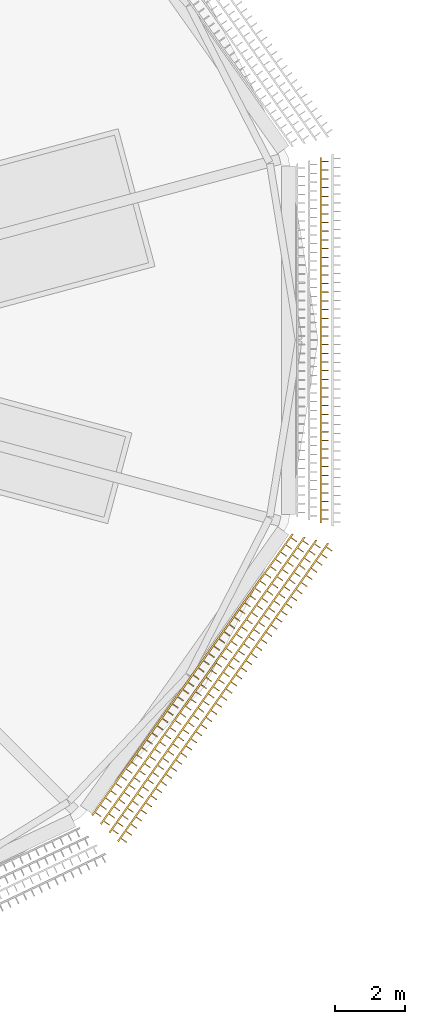
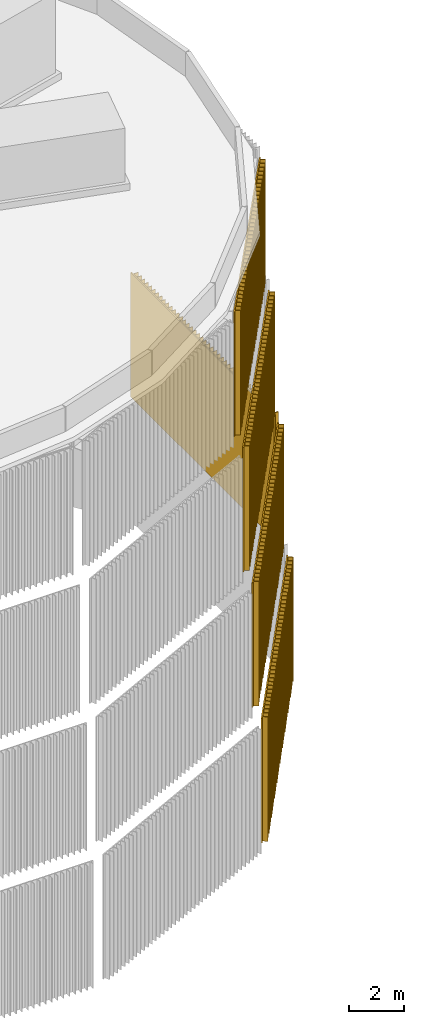
# One storey, part 8 of 24: 5 coverings.
"""IFC4 building model written with IfcOpenShell, lengths in metres."""

from ifc_helpers import new_model, si_unit, direction, frame, origin, place, context, subcontext, project, spatial, polyline, outline, extrude, material, type_object, element, save


model = new_model("IFC4")

# Units and contexts
model_context = context("Model", 3, precision=1e-05, world=origin(), true_north=direction((0.0, 1.0)))
body_context = subcontext(model_context, "Body", "Model", "MODEL_VIEW")
ifc_project = project(units=[si_unit("LENGTHUNIT", "METRE"), si_unit("AREAUNIT", "SQUARE_METRE"), si_unit("VOLUMEUNIT", "CUBIC_METRE"), si_unit("PLANEANGLEUNIT", "RADIAN"), si_unit("MASSUNIT", "GRAM", prefix="KILO")], contexts=[model_context])

# Site, building, storey
site_placement = place(None, origin())
site = spatial("IfcSite", under=ifc_project, at=site_placement, CompositionType="ELEMENT")
building_placement = place(site_placement, origin())
building = spatial("IfcBuilding", under=site, at=building_placement, Name="Rimbun Link Towers", CompositionType="ELEMENT")
storey_placement = place(building_placement, frame((0.0, 0.0, 294.89990234375)))
storey = spatial("IfcBuildingStorey", under=building, at=storey_placement, Name="Roof cap", CompositionType="ELEMENT", Elevation=294.89990234375)

# Coverings
ifc_material = material(Name="Terracotta", Category="masonry")
covering_type = type_object("IfcCoveringType", Name="TERRACOTTA CLADDING screen fins", PredefinedType="CLADDING", material=ifc_material)
covering_1_placement = place(storey_placement, frame((0.0, 0.0, -23.087890625)))
element("IfcCovering", 1, at=covering_1_placement, inside=storey, type_object=covering_type, Name="TERRACOTTA CLADDING screen", PredefinedType="CLADDING", context=body_context, shape_type="SweptSolid", body=[
    extrude(outline(polyline([(-16.957275390625, -14.43359375), (-16.893798828125, -14.34375), (-16.730224609375, -14.458984375), (-16.712890625, -14.434326171875), (-16.87646484375, -14.319091796875), (-16.749755859375, -14.139404296875), (-16.586181640625, -14.25439453125), (-16.56884765625, -14.22998046875), (-16.732421875, -14.11474609375), (-16.605712890625, -13.934814453125), (-16.442138671875, -14.050048828125), (-16.4248046875, -14.025390625), (-16.58837890625, -13.910400390625), (-16.461669921875, -13.73046875), (-16.298095703125, -13.845703125), (-16.28076171875, -13.821044921875), (-16.4443359375, -13.705810546875), (-16.3173828125, -13.52587890625), (-16.154052734375, -13.64111328125), (-16.13671875, -13.61669921875), (-16.30029296875, -13.50146484375), (-16.17333984375, -13.321533203125), (-16.010009765625, -13.436767578125), (-15.99267578125, -13.412353515625), (-16.15625, -13.297119140625), (-16.029296875, -13.1171875), (-15.865966796875, -13.232421875), (-15.8486328125, -13.2080078125), (-16.01220703125, -13.092529296875), (-15.88525390625, -12.91259765625), (-15.7216796875, -13.028076171875), (-15.70458984375, -13.00341796875), (-15.867919921875, -12.88818359375), (-15.7412109375, -12.708251953125), (-15.577880859375, -12.823486328125), (-15.560546875, -12.799072265625), (-15.72412109375, -12.683837890625), (-15.59716796875, -12.50390625), (-15.43359375, -12.619140625), (-15.41650390625, -12.594482421875), (-15.579833984375, -12.4794921875), (-15.453125, -12.299560546875), (-15.28955078125, -12.414794921875), (-15.272216796875, -12.39013671875), (-15.435791015625, -12.27490234375), (-15.30908203125, -12.09521484375), (-15.1455078125, -12.210205078125), (-15.12841796875, -12.185791015625), (-15.291748046875, -12.070556640625), (-15.1650390625, -11.890625), (-15.00146484375, -12.005859375), (-14.984130859375, -11.981201171875), (-15.147705078125, -11.8662109375), (-15.02099609375, -11.686279296875), (-14.857421875, -11.801513671875), (-14.840087890625, -11.77685546875), (-15.003662109375, -11.66162109375), (-14.876708984375, -11.481689453125), (-14.71337890625, -11.596923828125), (-14.696044921875, -11.572509765625), (-14.859619140625, -11.457275390625), (-14.73291015625, -11.27734375), (-14.5693359375, -11.392578125), (-14.552001953125, -11.3681640625), (-14.715576171875, -11.2529296875), (-14.588623046875, -11.072998046875), (-14.42529296875, -11.188232421875), (-14.407958984375, -11.163818359375), (-14.5712890625, -11.048583984375), (-14.444580078125, -10.86865234375), (-14.281005859375, -10.98388671875), (-14.263916015625, -10.959228515625), (-14.42724609375, -10.843994140625), (-14.300537109375, -10.6640625), (-14.13720703125, -10.779296875), (-14.119873046875, -10.7548828125), (-14.283203125, -10.6396484375), (-14.156494140625, -10.459716796875), (-13.992919921875, -10.574951171875), (-13.9755859375, -10.55029296875), (-14.13916015625, -10.435302734375), (-14.012451171875, -10.25537109375), (-13.848876953125, -10.37060546875), (-13.831787109375, -10.345947265625), (-13.9951171875, -10.230712890625), (-13.868408203125, -10.05078125), (-13.704833984375, -10.166015625), (-13.6875, -10.1416015625), (-13.85107421875, -10.0263671875), (-13.724365234375, -9.846435546875), (-13.560791015625, -9.961669921875), (-13.54345703125, -9.937255859375), (-13.70703125, -9.822021484375), (-13.580078125, -9.64208984375), (-13.416748046875, -9.75732421875), (-13.3994140625, -9.732666015625), (-13.56298828125, -9.617431640625), (-13.436279296875, -9.4375), (-13.272705078125, -9.552734375), (-13.25537109375, -9.5283203125), (-13.4189453125, -9.4130859375), (-13.2919921875, -9.233154296875), (-13.128662109375, -9.348388671875), (-13.111328125, -9.323974609375), (-13.27490234375, -9.208740234375), (-13.14794921875, -9.02880859375), (-12.984619140625, -9.14404296875), (-12.96728515625, -9.119384765625), (-13.130615234375, -9.00439453125), (-13.00390625, -8.824462890625), (-12.840576171875, -8.939697265625), (-12.8232421875, -8.9150390625), (-12.98681640625, -8.7998046875), (-12.85986328125, -8.619873046875), (-12.6962890625, -8.735107421875), (-12.67919921875, -8.710693359375), (-12.842529296875, -8.595458984375), (-12.7158203125, -8.41552734375), (-12.55224609375, -8.53076171875), (-12.53515625, -8.506103515625), (-12.698486328125, -8.39111328125), (-12.57177734375, -8.211181640625), (-12.408203125, -8.326416015625), (-12.39111328125, -8.3017578125), (-12.554443359375, -8.1865234375), (-12.427734375, -8.006591796875), (-12.26416015625, -8.121826171875), (-12.246826171875, -8.097412109375), (-12.410400390625, -7.982177734375), (-12.28369140625, -7.80224609375), (-12.1201171875, -7.91748046875), (-12.102783203125, -7.89306640625), (-12.266357421875, -7.77783203125), (-12.1396484375, -7.597900390625), (-11.97607421875, -7.713134765625), (-11.958740234375, -7.6884765625), (-12.122314453125, -7.5732421875), (-11.99560546875, -7.393310546875), (-11.83203125, -7.508544921875), (-11.814697265625, -7.484130859375), (-11.978271484375, -7.368896484375), (-11.851318359375, -7.18896484375), (-11.68798828125, -7.30419921875), (-11.670654296875, -7.27978515625), (-11.833984375, -7.16455078125), (-11.707275390625, -6.984619140625), (-11.5439453125, -7.099853515625), (-11.526611328125, -7.0751953125), (-11.690185546875, -6.960205078125), (-11.563232421875, -6.7802734375), (-11.39990234375, -6.8955078125), (-11.382568359375, -6.870849609375), (-11.5458984375, -6.755615234375), (-11.419189453125, -6.57568359375), (-11.255615234375, -6.69091796875), (-11.238525390625, -6.66650390625), (-11.40185546875, -6.55126953125), (-11.275146484375, -6.371337890625), (-11.11181640625, -6.486572265625), (-11.094482421875, -6.4619140625), (-11.2578125, -6.3466796875), (-11.131103515625, -6.1669921875), (-10.967529296875, -6.281982421875), (-10.9501953125, -6.257568359375), (-11.11376953125, -6.142333984375), (-10.987060546875, -5.96240234375), (-10.823486328125, -6.07763671875), (-10.806396484375, -6.05322265625), (-10.9697265625, -5.93798828125), (-10.90625, -5.847900390625), (-10.957763671875, -5.834228515625), (-16.992919921875, -14.397705078125), (-16.957275390625, -14.43359375)])), origin(), (0.0, 0.0, 1.0), 5.575927734375),
])
covering_2_placement = place(storey_placement, frame((0.0, 0.0, -17.087890625)))
element("IfcCovering", 2, at=covering_2_placement, inside=storey, type_object=covering_type, Name="TERRACOTTA CLADDING screen", PredefinedType="CLADDING", context=body_context, shape_type="SweptSolid", body=[
    extrude(outline(polyline([(-17.20458984375, -14.18603515625), (-17.140625, -14.095703125), (-16.977294921875, -14.2109375), (-16.9599609375, -14.1865234375), (-17.123291015625, -14.071044921875), (-16.995361328125, -13.889892578125), (-16.83203125, -14.005615234375), (-16.814697265625, -13.98095703125), (-16.97802734375, -13.865478515625), (-16.849853515625, -13.684326171875), (-16.6865234375, -13.7998046875), (-16.669189453125, -13.775390625), (-16.83251953125, -13.659912109375), (-16.70458984375, -13.478759765625), (-16.541259765625, -13.59423828125), (-16.52392578125, -13.56982421875), (-16.687255859375, -13.454345703125), (-16.55908203125, -13.273193359375), (-16.39599609375, -13.388671875), (-16.37841796875, -13.3642578125), (-16.541748046875, -13.248779296875), (-16.413818359375, -13.067626953125), (-16.25048828125, -13.18310546875), (-16.233154296875, -13.15869140625), (-16.396484375, -13.043212890625), (-16.268310546875, -12.862060546875), (-16.10498046875, -12.9775390625), (-16.087890625, -12.953125), (-16.251220703125, -12.837646484375), (-16.123046875, -12.656494140625), (-15.959716796875, -12.77197265625), (-15.9423828125, -12.74755859375), (-16.105712890625, -12.632080078125), (-15.977783203125, -12.450927734375), (-15.814453125, -12.56640625), (-15.797119140625, -12.5419921875), (-15.960205078125, -12.426513671875), (-15.832275390625, -12.245361328125), (-15.6689453125, -12.36083984375), (-15.651611328125, -12.33642578125), (-15.81494140625, -12.220947265625), (-15.68701171875, -12.039794921875), (-15.523681640625, -12.1552734375), (-15.50634765625, -12.130859375), (-15.669677734375, -12.015380859375), (-15.54150390625, -11.834228515625), (-15.378173828125, -11.94970703125), (-15.36083984375, -11.92529296875), (-15.524169921875, -11.809814453125), (-15.396240234375, -11.628662109375), (-15.23291015625, -11.744140625), (-15.215576171875, -11.719482421875), (-15.37890625, -11.604248046875), (-15.250732421875, -11.423095703125), (-15.08740234375, -11.53857421875), (-15.0703125, -11.513916015625), (-15.2333984375, -11.398681640625), (-15.10546875, -11.217529296875), (-14.942138671875, -11.3330078125), (-14.9248046875, -11.30859375), (-15.088134765625, -11.193115234375), (-14.9599609375, -11.011962890625), (-14.796630859375, -11.12744140625), (-14.779296875, -11.102783203125), (-14.942626953125, -10.9873046875), (-14.814697265625, -10.806396484375), (-14.6513671875, -10.921875), (-14.634033203125, -10.897216796875), (-14.79736328125, -10.78173828125), (-14.669189453125, -10.600830078125), (-14.506103515625, -10.71630859375), (-14.48876953125, -10.691650390625), (-14.652099609375, -10.576416015625), (-14.52392578125, -10.395263671875), (-14.360595703125, -10.5107421875), (-14.34326171875, -10.486083984375), (-14.506591796875, -10.37060546875), (-14.37841796875, -10.189697265625), (-14.21533203125, -10.30517578125), (-14.197998046875, -10.280517578125), (-14.361083984375, -10.1650390625), (-14.233154296875, -9.98388671875), (-14.06982421875, -10.099609375), (-14.052490234375, -10.074951171875), (-14.2158203125, -9.95947265625), (-14.087890625, -9.7783203125), (-13.924560546875, -9.893798828125), (-13.9072265625, -9.869384765625), (-14.070556640625, -9.75390625), (-13.9423828125, -9.572998046875), (-13.779052734375, -9.688232421875), (-13.76171875, -9.663818359375), (-13.925048828125, -9.54833984375), (-13.797119140625, -9.3671875), (-13.6337890625, -9.48291015625), (-13.616455078125, -9.458251953125), (-13.77978515625, -9.3427734375), (-13.651611328125, -9.16162109375), (-13.48828125, -9.277099609375), (-13.47119140625, -9.252685546875), (-13.634521484375, -9.13720703125), (-13.50634765625, -8.9560546875), (-13.343017578125, -9.071533203125), (-13.32568359375, -9.047119140625), (-13.489013671875, -8.931640625), (-13.36083984375, -8.75048828125), (-13.197509765625, -8.865966796875), (-13.180419921875, -8.841552734375), (-13.343505859375, -8.72607421875), (-13.215576171875, -8.544921875), (-13.05224609375, -8.660400390625), (-13.034912109375, -8.635986328125), (-13.1982421875, -8.5205078125), (-13.0703125, -8.33935546875), (-12.906982421875, -8.454833984375), (-12.8896484375, -8.430419921875), (-13.052978515625, -8.31494140625), (-12.9248046875, -8.1337890625), (-12.761474609375, -8.249267578125), (-12.744140625, -8.224853515625), (-12.907470703125, -8.109375), (-12.779296875, -7.92822265625), (-12.6162109375, -8.043701171875), (-12.598876953125, -8.019287109375), (-12.76220703125, -7.90380859375), (-12.634033203125, -7.72265625), (-12.470703125, -7.838134765625), (-12.453369140625, -7.813720703125), (-12.61669921875, -7.6982421875), (-12.48876953125, -7.51708984375), (-12.325439453125, -7.632568359375), (-12.30810546875, -7.608154296875), (-12.471435546875, -7.49267578125), (-12.34326171875, -7.3115234375), (-12.179931640625, -7.427001953125), (-12.16259765625, -7.402587890625), (-12.325927734375, -7.287109375), (-12.197998046875, -7.10595703125), (-12.03466796875, -7.221435546875), (-12.017333984375, -7.197021484375), (-12.1806640625, -7.081298828125), (-12.052490234375, -6.900390625), (-11.889404296875, -7.015869140625), (-11.8720703125, -6.9912109375), (-12.035400390625, -6.8759765625), (-11.9072265625, -6.69482421875), (-11.743896484375, -6.810302734375), (-11.7265625, -6.785888671875), (-11.889892578125, -6.67041015625), (-11.76171875, -6.4892578125), (-11.598388671875, -6.604736328125), (-11.581298828125, -6.580078125), (-11.744384765625, -6.464599609375), (-11.616455078125, -6.28369140625), (-11.453125, -6.399169921875), (-11.435791015625, -6.37451171875), (-11.59912109375, -6.259033203125), (-11.47119140625, -6.078125), (-11.307861328125, -6.193603515625), (-11.29052734375, -6.1689453125), (-11.453857421875, -6.0537109375), (-11.32568359375, -5.87255859375), (-11.162353515625, -5.988037109375), (-11.14501953125, -5.96337890625), (-11.308349609375, -5.847900390625), (-11.244384765625, -5.75732421875), (-11.2958984375, -5.74365234375), (-17.240478515625, -14.150146484375), (-17.20458984375, -14.18603515625)])), origin(), (0.0, 0.0, 1.0), 5.575927734375),
])
covering_3_placement = place(storey_placement, frame((0.0, 0.0, -17.087890625)))
element("IfcCovering", 3, at=covering_3_placement, inside=storey, type_object=covering_type, Name="TERRACOTTA CLADDING screen", PredefinedType="CLADDING", context=body_context, shape_type="SweptSolid", body=[
    extrude(outline(polyline([(-11.114501953125, -5.266357421875), (-11.114501953125, -5.156005859375), (-10.914306640625, -5.156005859375), (-10.914306640625, -5.1259765625), (-11.114501953125, -5.1259765625), (-11.114501953125, -4.9052734375), (-10.914306640625, -4.9052734375), (-10.914306640625, -4.875244140625), (-11.114501953125, -4.875244140625), (-11.114501953125, -4.654296875), (-10.914306640625, -4.654296875), (-10.914306640625, -4.62451171875), (-11.114501953125, -4.62451171875), (-11.114501953125, -4.403564453125), (-10.914306640625, -4.403564453125), (-10.914306640625, -4.37353515625), (-11.114501953125, -4.37353515625), (-11.114501953125, -4.15283203125), (-10.914306640625, -4.15283203125), (-10.914306640625, -4.122802734375), (-11.114501953125, -4.122802734375), (-11.114501953125, -3.902099609375), (-10.914306640625, -3.902099609375), (-10.914306640625, -3.8720703125), (-11.114501953125, -3.8720703125), (-11.114501953125, -3.6513671875), (-10.914306640625, -3.6513671875), (-10.914306640625, -3.621337890625), (-11.114501953125, -3.621337890625), (-11.114501953125, -3.400390625), (-10.914306640625, -3.400390625), (-10.914306640625, -3.37060546875), (-11.114501953125, -3.37060546875), (-11.114501953125, -3.149658203125), (-10.914306640625, -3.149658203125), (-10.914306640625, -3.11962890625), (-11.114501953125, -3.11962890625), (-11.114501953125, -2.89892578125), (-10.914306640625, -2.89892578125), (-10.914306640625, -2.868896484375), (-11.114501953125, -2.868896484375), (-11.114501953125, -2.648193359375), (-10.914306640625, -2.648193359375), (-10.914306640625, -2.6181640625), (-11.114501953125, -2.6181640625), (-11.114501953125, -2.3974609375), (-10.914306640625, -2.3974609375), (-10.914306640625, -2.367431640625), (-11.114501953125, -2.367431640625), (-11.114501953125, -2.146484375), (-10.914306640625, -2.146484375), (-10.914306640625, -2.11669921875), (-11.114501953125, -2.11669921875), (-11.114501953125, -1.895751953125), (-10.914306640625, -1.895751953125), (-10.914306640625, -1.86572265625), (-11.114501953125, -1.86572265625), (-11.114501953125, -1.64501953125), (-10.914306640625, -1.64501953125), (-10.914306640625, -1.614990234375), (-11.114501953125, -1.614990234375), (-11.114501953125, -1.394287109375), (-10.914306640625, -1.394287109375), (-10.914306640625, -1.3642578125), (-11.114501953125, -1.3642578125), (-11.114501953125, -1.1435546875), (-10.914306640625, -1.1435546875), (-10.914306640625, -1.113525390625), (-11.114501953125, -1.113525390625), (-11.114501953125, -0.892578125), (-10.914306640625, -0.892578125), (-10.914306640625, -0.86279296875), (-11.114501953125, -0.86279296875), (-11.114501953125, -0.641845703125), (-10.914306640625, -0.641845703125), (-10.914306640625, -0.61181640625), (-11.114501953125, -0.61181640625), (-11.114501953125, -0.39111328125), (-10.914306640625, -0.39111328125), (-10.914306640625, -0.361083984375), (-11.114501953125, -0.361083984375), (-11.114501953125, -0.140380859375), (-10.914306640625, -0.140380859375), (-10.914306640625, -0.1103515625), (-11.114501953125, -0.1103515625), (-11.114501953125, 0.1103515625), (-10.914306640625, 0.1103515625), (-10.914306640625, 0.140380859375), (-11.114501953125, 0.140380859375), (-11.114501953125, 0.361083984375), (-10.914306640625, 0.361083984375), (-10.914306640625, 0.39111328125), (-11.114501953125, 0.39111328125), (-11.114501953125, 0.61181640625), (-10.914306640625, 0.61181640625), (-10.914306640625, 0.641845703125), (-11.114501953125, 0.641845703125), (-11.114501953125, 0.86279296875), (-10.914306640625, 0.86279296875), (-10.914306640625, 0.892578125), (-11.114501953125, 0.892578125), (-11.114501953125, 1.113525390625), (-10.914306640625, 1.113525390625), (-10.914306640625, 1.1435546875), (-11.114501953125, 1.1435546875), (-11.114501953125, 1.3642578125), (-10.914306640625, 1.3642578125), (-10.914306640625, 1.394287109375), (-11.114501953125, 1.394287109375), (-11.114501953125, 1.614990234375), (-10.914306640625, 1.614990234375), (-10.914306640625, 1.64501953125), (-11.114501953125, 1.64501953125), (-11.114501953125, 1.86572265625), (-10.914306640625, 1.86572265625), (-10.914306640625, 1.895751953125), (-11.114501953125, 1.895751953125), (-11.114501953125, 2.11669921875), (-10.914306640625, 2.11669921875), (-10.914306640625, 2.146484375), (-11.114501953125, 2.146484375), (-11.114501953125, 2.367431640625), (-10.914306640625, 2.367431640625), (-10.914306640625, 2.3974609375), (-11.114501953125, 2.3974609375), (-11.114501953125, 2.6181640625), (-10.914306640625, 2.6181640625), (-10.914306640625, 2.648193359375), (-11.114501953125, 2.648193359375), (-11.114501953125, 2.868896484375), (-10.914306640625, 2.868896484375), (-10.914306640625, 2.89892578125), (-11.114501953125, 2.89892578125), (-11.114501953125, 3.11962890625), (-10.914306640625, 3.11962890625), (-10.914306640625, 3.149658203125), (-11.114501953125, 3.149658203125), (-11.114501953125, 3.37060546875), (-10.914306640625, 3.37060546875), (-10.914306640625, 3.400390625), (-11.114501953125, 3.400390625), (-11.114501953125, 3.621337890625), (-10.914306640625, 3.621337890625), (-10.914306640625, 3.6513671875), (-11.114501953125, 3.6513671875), (-11.114501953125, 3.8720703125), (-10.914306640625, 3.8720703125), (-10.914306640625, 3.902099609375), (-11.114501953125, 3.902099609375), (-11.114501953125, 4.122802734375), (-10.914306640625, 4.122802734375), (-10.914306640625, 4.15283203125), (-11.114501953125, 4.15283203125), (-11.114501953125, 4.37353515625), (-10.914306640625, 4.37353515625), (-10.914306640625, 4.403564453125), (-11.114501953125, 4.403564453125), (-11.114501953125, 4.62451171875), (-10.914306640625, 4.62451171875), (-10.914306640625, 4.654296875), (-11.114501953125, 4.654296875), (-11.114501953125, 4.875244140625), (-10.914306640625, 4.875244140625), (-10.914306640625, 4.9052734375), (-11.114501953125, 4.9052734375), (-11.114501953125, 5.1259765625), (-10.914306640625, 5.1259765625), (-10.914306640625, 5.156005859375), (-11.114501953125, 5.156005859375), (-11.114501953125, 5.266357421875), (-11.164306640625, 5.2529296875), (-11.164306640625, -5.2529296875), (-11.114501953125, -5.266357421875)])), origin(), (0.0, 0.0, 1.0), 5.575927734375),
])
covering_4_placement = place(storey_placement, frame((0.0, 0.0, -11.087890625)))
element("IfcCovering", 4, at=covering_4_placement, inside=storey, type_object=covering_type, Name="TERRACOTTA CLADDING screen", PredefinedType="CLADDING", context=body_context, shape_type="SweptSolid", body=[
    extrude(outline(polyline([(-17.4521484375, -13.938720703125), (-17.387451171875, -13.847412109375), (-17.224365234375, -13.963134765625), (-17.20703125, -13.938720703125), (-17.3701171875, -13.822998046875), (-17.24072265625, -13.640625), (-17.07763671875, -13.75634765625), (-17.060302734375, -13.73193359375), (-17.223388671875, -13.6162109375), (-17.093994140625, -13.433837890625), (-16.930908203125, -13.549560546875), (-16.91357421875, -13.525146484375), (-17.07666015625, -13.409423828125), (-16.947265625, -13.22705078125), (-16.7841796875, -13.3427734375), (-16.766845703125, -13.318359375), (-16.929931640625, -13.20263671875), (-16.800537109375, -13.020263671875), (-16.637451171875, -13.135986328125), (-16.6201171875, -13.111572265625), (-16.783203125, -12.995849609375), (-16.65380859375, -12.8134765625), (-16.49072265625, -12.92919921875), (-16.473388671875, -12.90478515625), (-16.636474609375, -12.7890625), (-16.507080078125, -12.606689453125), (-16.343994140625, -12.722412109375), (-16.32666015625, -12.697998046875), (-16.48974609375, -12.582275390625), (-16.3603515625, -12.39990234375), (-16.197265625, -12.515625), (-16.1796875, -12.4912109375), (-16.343017578125, -12.37548828125), (-16.21337890625, -12.193115234375), (-16.05029296875, -12.308837890625), (-16.033203125, -12.284423828125), (-16.1962890625, -12.168701171875), (-16.06689453125, -11.986328125), (-15.90380859375, -12.10205078125), (-15.88623046875, -12.07763671875), (-16.04931640625, -11.9619140625), (-15.919921875, -11.779541015625), (-15.7568359375, -11.895263671875), (-15.739501953125, -11.870849609375), (-15.902587890625, -11.7548828125), (-15.773193359375, -11.57275390625), (-15.610107421875, -11.6884765625), (-15.5927734375, -11.6640625), (-15.755859375, -11.548095703125), (-15.62646484375, -11.365966796875), (-15.46337890625, -11.481689453125), (-15.446044921875, -11.457275390625), (-15.609130859375, -11.34130859375), (-15.479736328125, -11.1591796875), (-15.316650390625, -11.27490234375), (-15.29931640625, -11.25048828125), (-15.46240234375, -11.134765625), (-15.3330078125, -10.952392578125), (-15.169921875, -11.068115234375), (-15.152587890625, -11.043701171875), (-15.315673828125, -10.927978515625), (-15.186279296875, -10.74560546875), (-15.023193359375, -10.861328125), (-15.005859375, -10.8369140625), (-15.1689453125, -10.72119140625), (-15.03955078125, -10.538818359375), (-14.87646484375, -10.654541015625), (-14.859130859375, -10.6298828125), (-15.022216796875, -10.514404296875), (-14.892822265625, -10.331787109375), (-14.729736328125, -10.44775390625), (-14.71240234375, -10.423095703125), (-14.87548828125, -10.3076171875), (-14.74609375, -10.125244140625), (-14.5830078125, -10.240966796875), (-14.565673828125, -10.21630859375), (-14.728759765625, -10.1005859375), (-14.599365234375, -9.91845703125), (-14.436279296875, -10.0341796875), (-14.4189453125, -10.009521484375), (-14.58203125, -9.893798828125), (-14.45263671875, -9.711669921875), (-14.28955078125, -9.827392578125), (-14.272216796875, -9.802734375), (-14.435302734375, -9.68701171875), (-14.305908203125, -9.5048828125), (-14.142578125, -9.62060546875), (-14.12548828125, -9.595947265625), (-14.28857421875, -9.480224609375), (-14.1591796875, -9.298095703125), (-13.99609375, -9.413818359375), (-13.978515625, -9.389404296875), (-14.1416015625, -9.2734375), (-14.012451171875, -9.09130859375), (-13.84912109375, -9.206787109375), (-13.831787109375, -9.1826171875), (-13.9951171875, -9.066650390625), (-13.865478515625, -8.884521484375), (-13.702392578125, -9.0), (-13.68505859375, -8.9755859375), (-13.84814453125, -8.85986328125), (-13.718994140625, -8.677490234375), (-13.555908203125, -8.793212890625), (-13.538330078125, -8.768798828125), (-13.701416015625, -8.653076171875), (-13.572021484375, -8.470703125), (-13.408935546875, -8.58642578125), (-13.3916015625, -8.56201171875), (-13.5546875, -8.4462890625), (-13.42529296875, -8.263916015625), (-13.26220703125, -8.379638671875), (-13.244873046875, -8.355224609375), (-13.407958984375, -8.239501953125), (-13.278564453125, -8.05712890625), (-13.115478515625, -8.173095703125), (-13.09814453125, -8.1484375), (-13.26123046875, -8.03271484375), (-13.1318359375, -7.850341796875), (-12.96875, -7.96630859375), (-12.951416015625, -7.941650390625), (-13.114501953125, -7.825927734375), (-12.985107421875, -7.6435546875), (-12.822021484375, -7.759521484375), (-12.8046875, -7.73486328125), (-12.9677734375, -7.619140625), (-12.83837890625, -7.436767578125), (-12.67529296875, -7.552490234375), (-12.657958984375, -7.528076171875), (-12.821044921875, -7.412353515625), (-12.691650390625, -7.22998046875), (-12.528564453125, -7.345703125), (-12.51123046875, -7.3212890625), (-12.67431640625, -7.20556640625), (-12.544921875, -7.023193359375), (-12.3818359375, -7.138916015625), (-12.364501953125, -7.114501953125), (-12.527587890625, -6.998779296875), (-12.398193359375, -6.81640625), (-12.235107421875, -6.93212890625), (-12.2177734375, -6.90771484375), (-12.380859375, -6.7919921875), (-12.25146484375, -6.609619140625), (-12.08837890625, -6.725341796875), (-12.07080078125, -6.700927734375), (-12.23388671875, -6.585205078125), (-12.104736328125, -6.40283203125), (-11.941650390625, -6.5185546875), (-11.92431640625, -6.494140625), (-12.08740234375, -6.37841796875), (-11.9580078125, -6.196044921875), (-11.794921875, -6.311767578125), (-11.777587890625, -6.287353515625), (-11.940673828125, -6.171630859375), (-11.811279296875, -5.9892578125), (-11.648193359375, -6.10498046875), (-11.630615234375, -6.08056640625), (-11.793701171875, -5.96484375), (-11.664306640625, -5.782470703125), (-11.501220703125, -5.898193359375), (-11.48388671875, -5.873779296875), (-11.647216796875, -5.758056640625), (-11.58251953125, -5.666748046875), (-11.6337890625, -5.653076171875), (-17.488037109375, -13.902587890625), (-17.4521484375, -13.938720703125)])), origin(), (0.0, 0.0, 1.0), 5.575927734375),
])
covering_5_placement = place(storey_placement, frame((0.0, 0.0, -5.087890625)))
element("IfcCovering", 5, at=covering_5_placement, inside=storey, type_object=covering_type, Name="TERRACOTTA CLADDING screen", PredefinedType="CLADDING", context=body_context, shape_type="SweptSolid", body=[
    extrude(outline(polyline([(-17.69970703125, -13.691162109375), (-17.63427734375, -13.599365234375), (-17.47119140625, -13.71533203125), (-17.453857421875, -13.69091796875), (-17.61669921875, -13.574951171875), (-17.486083984375, -13.391357421875), (-17.3232421875, -13.50732421875), (-17.305908203125, -13.48291015625), (-17.46875, -13.36669921875), (-17.337890625, -13.18310546875), (-17.175048828125, -13.29931640625), (-17.15771484375, -13.27490234375), (-17.320556640625, -13.15869140625), (-17.189697265625, -12.97509765625), (-17.02685546875, -13.091064453125), (-17.009521484375, -13.066650390625), (-17.17236328125, -12.95068359375), (-17.04150390625, -12.76708984375), (-16.878662109375, -12.883056640625), (-16.861083984375, -12.858642578125), (-17.024169921875, -12.74267578125), (-16.893310546875, -12.55908203125), (-16.73046875, -12.675048828125), (-16.712890625, -12.650390625), (-16.8759765625, -12.534423828125), (-16.7451171875, -12.350830078125), (-16.582275390625, -12.466796875), (-16.564697265625, -12.4423828125), (-16.727783203125, -12.326416015625), (-16.596923828125, -12.142822265625), (-16.43408203125, -12.2587890625), (-16.41650390625, -12.234375), (-16.57958984375, -12.118408203125), (-16.44873046875, -11.934814453125), (-16.285888671875, -12.05078125), (-16.2685546875, -12.0263671875), (-16.431396484375, -11.910400390625), (-16.300537109375, -11.726806640625), (-16.1376953125, -11.8427734375), (-16.120361328125, -11.818115234375), (-16.283203125, -11.7021484375), (-16.15234375, -11.5185546875), (-15.989501953125, -11.634521484375), (-15.97216796875, -11.610107421875), (-16.135009765625, -11.494140625), (-16.004150390625, -11.310546875), (-15.84130859375, -11.426513671875), (-15.823974609375, -11.402099609375), (-15.98681640625, -11.2861328125), (-15.85595703125, -11.102294921875), (-15.693115234375, -11.218505859375), (-15.67578125, -11.194091796875), (-15.838623046875, -11.077880859375), (-15.7080078125, -10.894287109375), (-15.544921875, -11.010498046875), (-15.527587890625, -10.98583984375), (-15.6904296875, -10.869873046875), (-15.559814453125, -10.686279296875), (-15.396728515625, -10.80224609375), (-15.37939453125, -10.77783203125), (-15.542236328125, -10.661865234375), (-15.41162109375, -10.478271484375), (-15.24853515625, -10.59423828125), (-15.231201171875, -10.56982421875), (-15.39404296875, -10.453857421875), (-15.26318359375, -10.27001953125), (-15.100341796875, -10.38623046875), (-15.0830078125, -10.36181640625), (-15.245849609375, -10.24560546875), (-15.114990234375, -10.06201171875), (-14.9521484375, -10.177978515625), (-14.934814453125, -10.15380859375), (-15.09765625, -10.03759765625), (-14.966796875, -9.85400390625), (-14.803955078125, -9.969970703125), (-14.78662109375, -9.945556640625), (-14.949462890625, -9.82958984375), (-14.818603515625, -9.64599609375), (-14.65576171875, -9.761962890625), (-14.638427734375, -9.737548828125), (-14.80126953125, -9.62158203125), (-14.670654296875, -9.437744140625), (-14.5078125, -9.553955078125), (-14.490234375, -9.529296875), (-14.6533203125, -9.413330078125), (-14.5224609375, -9.229736328125), (-14.359619140625, -9.345703125), (-14.342041015625, -9.3212890625), (-14.5048828125, -9.205322265625), (-14.374267578125, -9.021728515625), (-14.211181640625, -9.1376953125), (-14.19384765625, -9.11328125), (-14.356689453125, -8.997314453125), (-14.22607421875, -8.813720703125), (-14.06298828125, -8.9296875), (-14.045654296875, -8.9052734375), (-14.20849609375, -8.789306640625), (-14.077880859375, -8.60546875), (-13.914794921875, -8.7216796875), (-13.8974609375, -8.697021484375), (-14.060302734375, -8.5810546875), (-13.9296875, -8.3974609375), (-13.7666015625, -8.513427734375), (-13.749267578125, -8.489013671875), (-13.912109375, -8.373046875), (-13.781494140625, -8.189453125), (-13.618408203125, -8.305419921875), (-13.60107421875, -8.281005859375), (-13.763916015625, -8.1650390625), (-13.63330078125, -7.981201171875), (-13.470458984375, -8.097412109375), (-13.452880859375, -8.072998046875), (-13.615966796875, -7.956787109375), (-13.485107421875, -7.773193359375), (-13.322265625, -7.889404296875), (-13.3046875, -7.86474609375), (-13.4677734375, -7.748779296875), (-13.3369140625, -7.565185546875), (-13.174072265625, -7.68115234375), (-13.156494140625, -7.65673828125), (-13.319580078125, -7.540771484375), (-13.188720703125, -7.357177734375), (-13.02587890625, -7.47314453125), (-13.00830078125, -7.44873046875), (-13.17138671875, -7.332763671875), (-13.04052734375, -7.14892578125), (-12.877685546875, -7.26513671875), (-12.860107421875, -7.240478515625), (-13.023193359375, -7.12451171875), (-12.892333984375, -6.94091796875), (-12.7294921875, -7.056884765625), (-12.7119140625, -7.032470703125), (-12.875, -6.91650390625), (-12.744140625, -6.73291015625), (-12.581298828125, -6.848876953125), (-12.563720703125, -6.824462890625), (-12.726806640625, -6.70849609375), (-12.595947265625, -6.52490234375), (-12.43310546875, -6.640869140625), (-12.415771484375, -6.616455078125), (-12.57861328125, -6.50048828125), (-12.44775390625, -6.316650390625), (-12.284912109375, -6.432861328125), (-12.267578125, -6.408203125), (-12.430419921875, -6.292236328125), (-12.299560546875, -6.108642578125), (-12.13671875, -6.224609375), (-12.119384765625, -6.2001953125), (-12.2822265625, -6.084228515625), (-12.1513671875, -5.900634765625), (-11.988525390625, -6.0166015625), (-11.97119140625, -5.9921875), (-12.134033203125, -5.876220703125), (-12.003173828125, -5.6923828125), (-11.84033203125, -5.80859375), (-11.822998046875, -5.7841796875), (-11.98583984375, -5.668212890625), (-11.92041015625, -5.576416015625), (-11.971923828125, -5.5625), (-17.735595703125, -13.6552734375), (-17.69970703125, -13.691162109375)])), origin(), (0.0, 0.0, 1.0), 5.575927734375),
])

save(model, "model.ifc")
